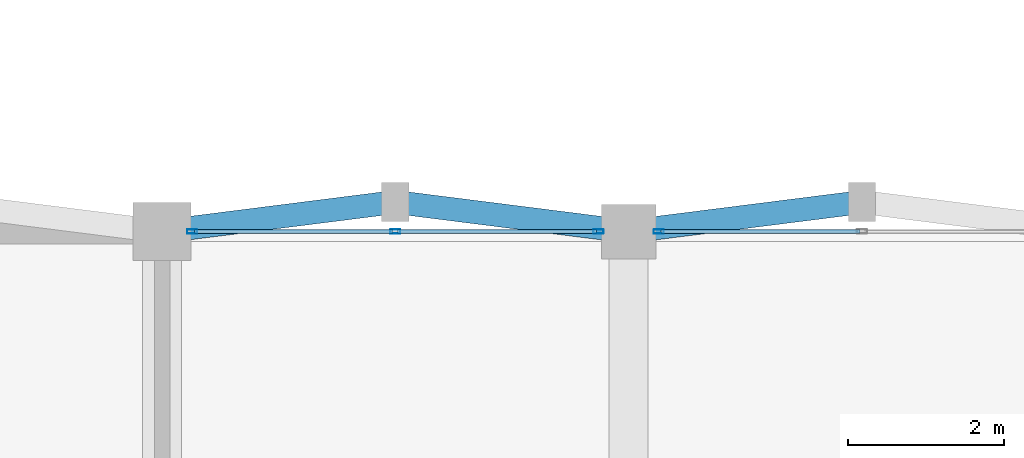
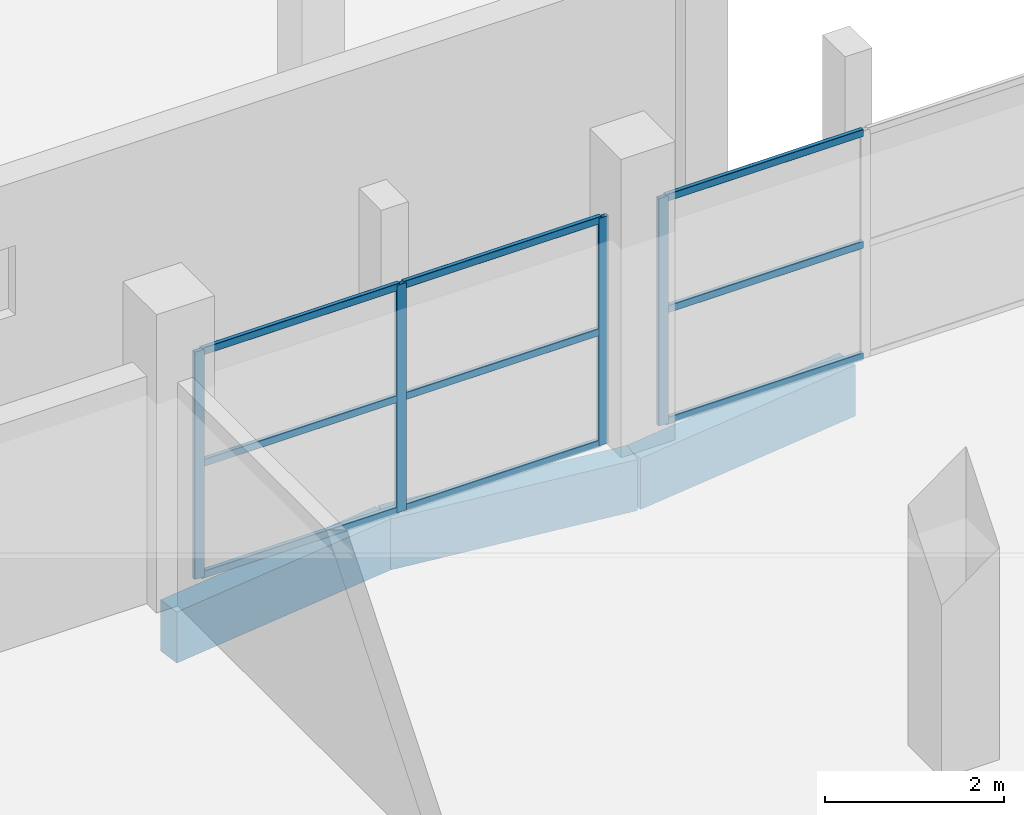
# One storey, part 13 of 127: 13 members, 3 beams, 2 elements without a shape of their own.
"""IFC4 building model written with IfcOpenShell, lengths in metres."""

from ifc_helpers import new_model, si_unit, direction, frame, origin, origin_2d, place, context, subcontext, project, spatial, rectangle, hollow_rectangle, extrude, material, layer, layer_set, material_profile, profile_set, type_object, element, aggregate, save


model = new_model("IFC4")

# Units and contexts
model_context = context("Model", 3, precision=1e-05, world=origin(), true_north=direction((0.0, 1.0)))
body_context = subcontext(model_context, "Body", "Model", "MODEL_VIEW")
ifc_project = project(units=[si_unit("LENGTHUNIT", "METRE"), si_unit("AREAUNIT", "SQUARE_METRE"), si_unit("VOLUMEUNIT", "CUBIC_METRE"), si_unit("PLANEANGLEUNIT", "RADIAN"), si_unit("MASSUNIT", "GRAM", prefix="KILO")], contexts=[model_context])

# Site, building, storey
site_placement = place(None, origin())
site = spatial("IfcSite", under=ifc_project, at=site_placement, CompositionType="ELEMENT")
building_placement = place(site_placement, origin())
building = spatial("IfcBuilding", under=site, at=building_placement, Name="Dunvalen Ferry Terminal", CompositionType="ELEMENT")
storey_placement = place(building_placement, frame((0.0, 0.0, 5.760009765625)))
storey = spatial("IfcBuildingStorey", under=building, at=storey_placement, Name="L01", CompositionType="ELEMENT", Elevation=5.760009765625)

# Curtain wall, member
ifc_material_1 = material(Name="Anodised marine aluminium and solar-control glazing", Category="aluminium")
ifc_layer = layer(ifc_material_1, 0.14990234375, Name="Anodised marine aluminium and solar-control glazing")
ifc_layer_set = layer_set([ifc_layer], Name="Anodised marine aluminium and solar-control glazing")
curtain_wall_type = type_object("IfcCurtainWallType", Name="ENV-CW-SYS-11", PredefinedType="NOTDEFINED", material=ifc_layer_set)
curtain_wall_1_placement = place(storey_placement, origin())
curtain_wall_1 = element("IfcCurtainWall", 1, at=curtain_wall_1_placement, inside=storey, type_object=curtain_wall_type, Name="L01 Curtain Wall CW-V5CORE-L01-7-9", PredefinedType="NOTDEFINED")
ifc_material_2 = material(Name="Anodised marine aluminium EN AW-6063 T6", Category="aluminium")
ifc_material_profile_1 = material_profile(ifc_material_2, hollow_rectangle(XDim=0.054931640625, YDim=0.1298828125, WallThickness=0.003173828125, InnerFilletRadius=0.003173828125, OuterFilletRadius=0.00634765625, at=origin_2d()), Name="Anodised marine aluminium EN AW-6063 T6")
ifc_profile_set_1 = profile_set([ifc_material_profile_1], Name="Anodised marine aluminium EN AW-6063 T6")
member_type_1 = type_object("IfcMemberType", Name="ENV-CW-MUL-4", PredefinedType="MULLION", material=ifc_profile_set_1)
member_1_placement = place(storey_placement, frame((30.387451171875, 36.0, 0.0), z_axis=(0.0, 0.0, 1.0), x_axis=(0.0, -1.0, 0.0)))
member_1 = element("IfcMember", 2, at=member_1_placement, type_object=member_type_1, Name="CW-11 mullion 3", PredefinedType="MULLION", context=body_context, shape_type="SweptSolid", body=[
    extrude(hollow_rectangle(XDim=0.054931640625, YDim=0.1298828125, WallThickness=0.003173828125, InnerFilletRadius=0.003173828125, OuterFilletRadius=0.00634765625, at=origin_2d()), origin(), (0.0, 0.0, 1.0), 3.110107421875),
])

# Curtain wall, members
curtain_wall_2_placement = place(storey_placement, origin())
curtain_wall_2 = element("IfcCurtainWall", 3, at=curtain_wall_2_placement, inside=storey, type_object=curtain_wall_type, Name="L01 Curtain Wall CW-V5CORE-L01-7-10", PredefinedType="NOTDEFINED")
member_2_placement = place(storey_placement, frame((29.612548828125, 36.0, 0.0), z_axis=(0.0, 0.0, 1.0), x_axis=(0.0, -1.0, 0.0)))
member_2 = element("IfcMember", 4, at=member_2_placement, type_object=member_type_1, Name="CW-11 mullion 1", PredefinedType="MULLION", context=body_context, shape_type="SweptSolid", body=[
    extrude(hollow_rectangle(XDim=0.054931640625, YDim=0.1298828125, WallThickness=0.003173828125, InnerFilletRadius=0.003173828125, OuterFilletRadius=0.00634765625, at=origin_2d()), origin(), (0.0, 0.0, 1.0), 3.110107421875),
])
member_3_placement = place(storey_placement, frame((27.0, 36.0, 0.0), z_axis=(0.0, 0.0, 1.0), x_axis=(0.0, -1.0, 0.0)))
member_3 = element("IfcMember", 5, at=member_3_placement, type_object=member_type_1, Name="CW-11 mullion 2", PredefinedType="MULLION", context=body_context, shape_type="SweptSolid", body=[
    extrude(hollow_rectangle(XDim=0.054931640625, YDim=0.1298828125, WallThickness=0.003173828125, InnerFilletRadius=0.003173828125, OuterFilletRadius=0.00634765625, at=origin_2d()), origin(), (0.0, 0.0, 1.0), 3.110107421875),
])
member_4_placement = place(storey_placement, frame((24.387451171875, 36.0, 0.0), z_axis=(0.0, 0.0, 1.0), x_axis=(0.0, -1.0, 0.0)))
member_4 = element("IfcMember", 6, at=member_4_placement, type_object=member_type_1, Name="CW-11 mullion 3", PredefinedType="MULLION", context=body_context, shape_type="SweptSolid", body=[
    extrude(hollow_rectangle(XDim=0.054931640625, YDim=0.1298828125, WallThickness=0.003173828125, InnerFilletRadius=0.003173828125, OuterFilletRadius=0.00634765625, at=origin_2d()), origin(), (0.0, 0.0, 1.0), 3.110107421875),
])

# Member
ifc_material_profile_2 = material_profile(ifc_material_2, hollow_rectangle(XDim=0.054931640625, YDim=0.10009765625, WallThickness=0.0029296875, InnerFilletRadius=0.0029296875, OuterFilletRadius=0.006103515625, at=origin_2d()), Name="Anodised marine aluminium EN AW-6063 T6")
ifc_profile_set_2 = profile_set([ifc_material_profile_2], Name="Anodised marine aluminium EN AW-6063 T6")
member_type_2 = type_object("IfcMemberType", Name="ENV-CW-TRN-4", PredefinedType="USERDEFINED", material=ifc_profile_set_2)
member_5_placement = place(storey_placement, frame((32.972412109375, 36.0, 0.027587890625), z_axis=(-1.0, 0.0, 0.0), x_axis=(0.0, -1.0, 0.0)))
member_5 = element("IfcMember", 7, at=member_5_placement, type_object=member_type_2, Name="CW-11 transom 2.1", ObjectType="TRANSOM", PredefinedType="USERDEFINED", context=body_context, shape_type="SweptSolid", body=[
    extrude(hollow_rectangle(XDim=0.054931640625, YDim=0.10009765625, WallThickness=0.0029296875, InnerFilletRadius=0.0029296875, OuterFilletRadius=0.006103515625, at=origin_2d()), origin(), (0.0, 0.0, 1.0), 2.557373046875),
])

member_6_placement = place(storey_placement, frame((32.972412109375, 36.0, 1.554931640625), z_axis=(-1.0, 0.0, 0.0), x_axis=(0.0, -1.0, 0.0)))
member_6 = element("IfcMember", 8, at=member_6_placement, type_object=member_type_2, Name="CW-11 transom 2.2", ObjectType="TRANSOM", PredefinedType="USERDEFINED", context=body_context, shape_type="SweptSolid", body=[
    extrude(hollow_rectangle(XDim=0.054931640625, YDim=0.10009765625, WallThickness=0.0029296875, InnerFilletRadius=0.0029296875, OuterFilletRadius=0.006103515625, at=origin_2d()), origin(), (0.0, 0.0, 1.0), 2.557373046875),
])

member_7_placement = place(storey_placement, frame((32.972412109375, 36.0, 3.08251953125), z_axis=(-1.0, 0.0, 0.0), x_axis=(0.0, -1.0, 0.0)))
member_7 = element("IfcMember", 9, at=member_7_placement, type_object=member_type_2, Name="CW-11 transom 2.3", ObjectType="TRANSOM", PredefinedType="USERDEFINED", context=body_context, shape_type="SweptSolid", body=[
    extrude(hollow_rectangle(XDim=0.054931640625, YDim=0.10009765625, WallThickness=0.0029296875, InnerFilletRadius=0.0029296875, OuterFilletRadius=0.006103515625, at=origin_2d()), origin(), (0.0, 0.0, 1.0), 2.557373046875),
])

aggregate(curtain_wall_1, [member_1, member_5, member_6, member_7])

member_8_placement = place(storey_placement, frame((29.5849609375, 36.0, 0.027587890625), z_axis=(-1.0, 0.0, 0.0), x_axis=(0.0, -1.0, 0.0)))
member_8 = element("IfcMember", 10, at=member_8_placement, type_object=member_type_2, Name="CW-11 transom 1.1", ObjectType="TRANSOM", PredefinedType="USERDEFINED", context=body_context, shape_type="SweptSolid", body=[
    extrude(hollow_rectangle(XDim=0.054931640625, YDim=0.10009765625, WallThickness=0.0029296875, InnerFilletRadius=0.0029296875, OuterFilletRadius=0.006103515625, at=origin_2d()), origin(), (0.0, 0.0, 1.0), 2.557373046875),
])

member_9_placement = place(storey_placement, frame((29.5849609375, 36.0, 1.554931640625), z_axis=(-1.0, 0.0, 0.0), x_axis=(0.0, -1.0, 0.0)))
member_9 = element("IfcMember", 11, at=member_9_placement, type_object=member_type_2, Name="CW-11 transom 1.2", ObjectType="TRANSOM", PredefinedType="USERDEFINED", context=body_context, shape_type="SweptSolid", body=[
    extrude(hollow_rectangle(XDim=0.054931640625, YDim=0.10009765625, WallThickness=0.0029296875, InnerFilletRadius=0.0029296875, OuterFilletRadius=0.006103515625, at=origin_2d()), origin(), (0.0, 0.0, 1.0), 2.557373046875),
])

member_10_placement = place(storey_placement, frame((29.5849609375, 36.0, 3.08251953125), z_axis=(-1.0, 0.0, 0.0), x_axis=(0.0, -1.0, 0.0)))
member_10 = element("IfcMember", 12, at=member_10_placement, type_object=member_type_2, Name="CW-11 transom 1.3", ObjectType="TRANSOM", PredefinedType="USERDEFINED", context=body_context, shape_type="SweptSolid", body=[
    extrude(hollow_rectangle(XDim=0.054931640625, YDim=0.10009765625, WallThickness=0.0029296875, InnerFilletRadius=0.0029296875, OuterFilletRadius=0.006103515625, at=origin_2d()), origin(), (0.0, 0.0, 1.0), 2.557373046875),
])

member_11_placement = place(storey_placement, frame((26.972412109375, 36.0, 0.027587890625), z_axis=(-1.0, 0.0, 0.0), x_axis=(0.0, -1.0, 0.0)))
member_11 = element("IfcMember", 13, at=member_11_placement, type_object=member_type_2, Name="CW-11 transom 2.1", ObjectType="TRANSOM", PredefinedType="USERDEFINED", context=body_context, shape_type="SweptSolid", body=[
    extrude(hollow_rectangle(XDim=0.054931640625, YDim=0.10009765625, WallThickness=0.0029296875, InnerFilletRadius=0.0029296875, OuterFilletRadius=0.006103515625, at=origin_2d()), origin(), (0.0, 0.0, 1.0), 2.557373046875),
])

member_12_placement = place(storey_placement, frame((26.972412109375, 36.0, 1.554931640625), z_axis=(-1.0, 0.0, 0.0), x_axis=(0.0, -1.0, 0.0)))
member_12 = element("IfcMember", 14, at=member_12_placement, type_object=member_type_2, Name="CW-11 transom 2.2", ObjectType="TRANSOM", PredefinedType="USERDEFINED", context=body_context, shape_type="SweptSolid", body=[
    extrude(hollow_rectangle(XDim=0.054931640625, YDim=0.10009765625, WallThickness=0.0029296875, InnerFilletRadius=0.0029296875, OuterFilletRadius=0.006103515625, at=origin_2d()), origin(), (0.0, 0.0, 1.0), 2.557373046875),
])

member_13_placement = place(storey_placement, frame((26.972412109375, 36.0, 3.08251953125), z_axis=(-1.0, 0.0, 0.0), x_axis=(0.0, -1.0, 0.0)))
member_13 = element("IfcMember", 15, at=member_13_placement, type_object=member_type_2, Name="CW-11 transom 2.3", ObjectType="TRANSOM", PredefinedType="USERDEFINED", context=body_context, shape_type="SweptSolid", body=[
    extrude(hollow_rectangle(XDim=0.054931640625, YDim=0.10009765625, WallThickness=0.0029296875, InnerFilletRadius=0.0029296875, OuterFilletRadius=0.006103515625, at=origin_2d()), origin(), (0.0, 0.0, 1.0), 2.557373046875),
])

aggregate(curtain_wall_2, [member_2, member_3, member_4, member_8, member_9, member_10, member_11, member_12, member_13])

# Beams
ifc_material_3 = material(Name="Concrete C40/50", Category="concrete")
ifc_material_profile_3 = material_profile(ifc_material_3, rectangle(XDim=0.300048828125, YDim=0.699951171875, at=origin_2d()), Name="Concrete C40/50")
ifc_profile_set_3 = profile_set([ifc_material_profile_3], Name="Concrete C40/50")
beam_type = type_object("IfcBeamType", Name="STR-BM-RCSP700", PredefinedType="SPANDREL", material=ifc_profile_set_3)
for number, where, z_axis, x_axis, name in (
    (16, (24.0, 36.0, -0.610107421875), (0.992077869489, 0.12562444376, 0.0), (-0.12562444376, 0.992077869489, 0.0), "L01 Passage Pilaster Spandrel Tie 03.1"),
    (17, (27.0, 36.3798828125, -0.610107421875), (0.992077869489, -0.12562444376, 0.0), (0.12562444376, 0.992077869489, 0.0), "L01 Passage Pilaster Spandrel Tie 03.2"),
    (18, (30.0, 36.0, -0.610107421875), (0.992077869489, 0.12562444376, 0.0), (-0.12562444376, 0.992077869489, 0.0), "L01 Passage Pilaster Spandrel Tie 04.1"),
):
    element("IfcBeam", number, at=place(storey_placement, frame(where, z_axis=z_axis, x_axis=x_axis)), inside=storey, type_object=beam_type, Name=name, PredefinedType="SPANDREL", context=body_context, shape_type="SweptSolid", body=[
        extrude(rectangle(XDim=0.300048828125, YDim=0.699951171875, at=origin_2d()), origin(), (0.0, 0.0, 1.0), 3.02392578125),
    ])

save(model, "model.ifc")
